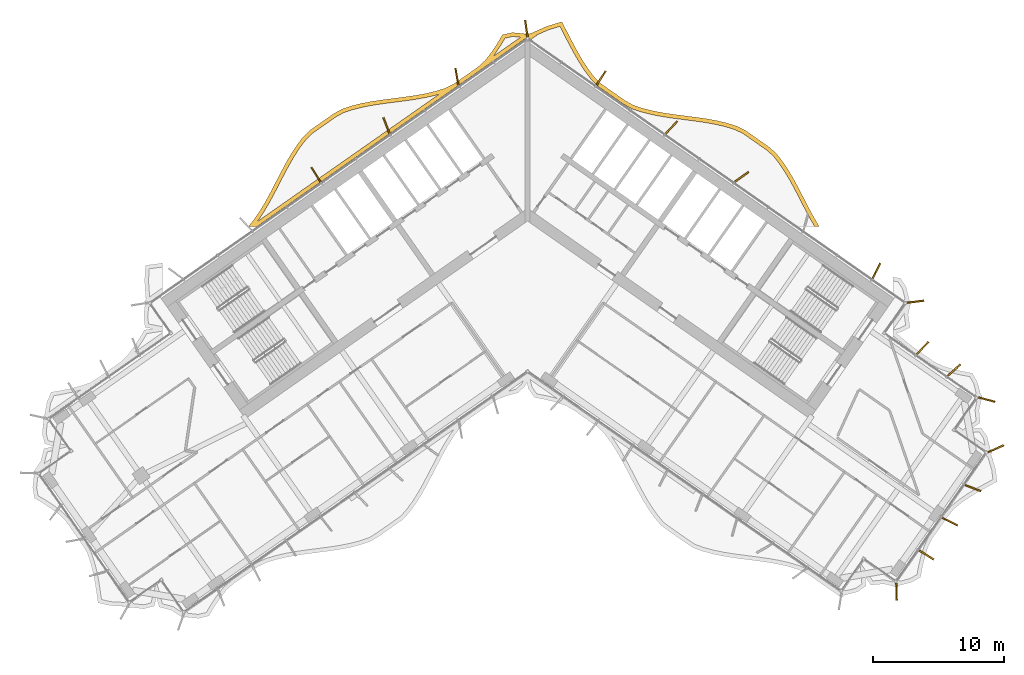
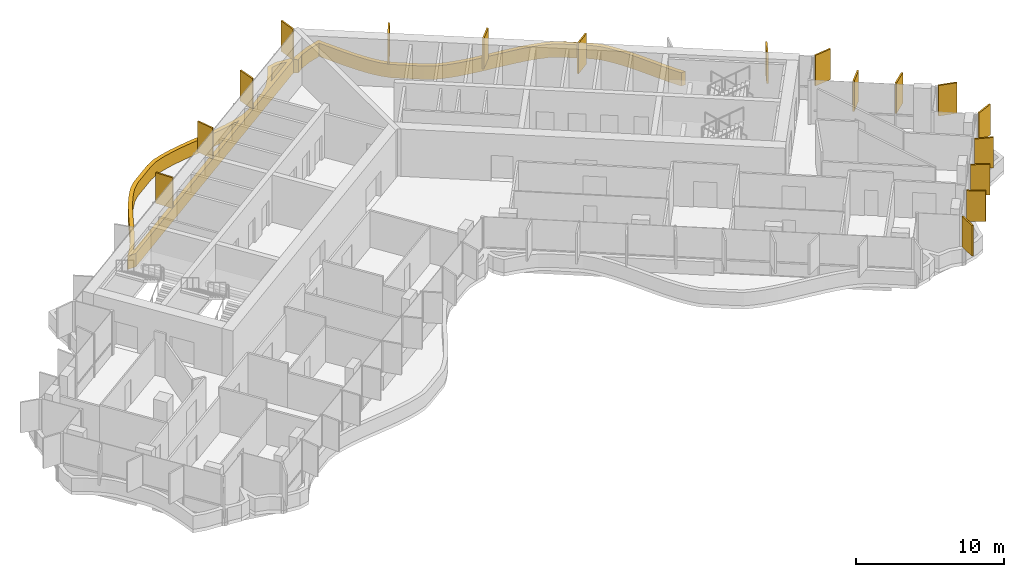
# One storey, part 23 of 23: 18 shading devices.
"""IFC4 building model written with IfcOpenShell, lengths in metres."""

import ifcopenshell
import ifcopenshell.guid

model = None  # the IFC model being written
_history = None  # IfcOwnerHistory: only IFC2X3 demands one
_inside = {}  # id of a spatial element -> (the spatial element, [elements in it])
_under = {}  # id of a project, library or spatial element -> (it, [spatial elements below it])
_declared = {}  # id of a project -> (the project, [libraries it declares])
_typed = {}  # id of a type object -> (the type object, [elements of that type])
_made_of = {}  # id of a material, layer set ... -> (it, [elements and type objects made of it])


def new_model(schema):
    """Start an empty IFC model of exactly this schema.

    Asked for "IFC4X3", IfcOpenShell would pick the latest addendum, in which some entities
    have other attributes; the version numbers below select the first issue.
    IFC2X3 requires an IfcOwnerHistory on every rooted entity: one is made here for all.
    """
    global model, _history
    if schema == "IFC4X3":
        model = ifcopenshell.file(schema_version=(4, 3, 0, 0))
    else:
        model = ifcopenshell.file(schema=schema)
    _inside.clear()
    _under.clear()
    _declared.clear()
    _typed.clear()
    _made_of.clear()
    _history = None
    if model.schema == "IFC2X3":
        org = make("IfcOrganization", Name="unknown")
        user = make(
            "IfcPersonAndOrganization",
            ThePerson=make("IfcPerson", FamilyName="unknown"),
            TheOrganization=org,
        )
        app = make(
            "IfcApplication",
            ApplicationDeveloper=org,
            Version="unknown",
            ApplicationFullName="unknown",
            ApplicationIdentifier="unknown",
        )
        _history = make(
            "IfcOwnerHistory",
            OwningUser=user,
            OwningApplication=app,
            ChangeAction="ADDED",
            CreationDate=0,
        )
    return model


def make(cls, **values):
    """One entity of the class cls with the attributes given. An attribute that is None is left unset."""
    return model.create_entity(
        cls, **{name: value for name, value in values.items() if value is not None}
    )


def rooted(cls, **values):
    """An entity with a GlobalId (a new one), such as an element, a storey or a relation."""
    return make(cls, GlobalId=ifcopenshell.guid.new(), OwnerHistory=_history, **values)


def si_unit(unit_type, name, prefix=None):
    """IfcSIUnit, for example si_unit("LENGTHUNIT", "METRE", prefix="MILLI")."""
    return make("IfcSIUnit", UnitType=unit_type, Prefix=prefix, Name=name)


def assignment(units):
    """IfcUnitAssignment: the units of a project."""
    return None if units is None else make("IfcUnitAssignment", Units=units)


def point(xyz):
    """IfcCartesianPoint."""
    return None if xyz is None else make("IfcCartesianPoint", Coordinates=xyz)


def direction(xyz):
    """IfcDirection."""
    return None if xyz is None else make("IfcDirection", DirectionRatios=xyz)


def frame(location, z_axis=None, x_axis=None):
    """IfcAxis2Placement3D, a coordinate frame: its origin and axes. An axis left out is left unset."""
    return make(
        "IfcAxis2Placement3D",
        Location=point(location),
        Axis=direction(z_axis),
        RefDirection=direction(x_axis),
    )


def frame_2d(location, x_axis=None):
    """IfcAxis2Placement2D, a coordinate frame in the plane: its origin and x axis."""
    return make(
        "IfcAxis2Placement2D", Location=point(location), RefDirection=direction(x_axis)
    )


def origin():
    """The frame at (0, 0, 0) with its axes left unset."""
    return frame((0.0, 0.0, 0.0))


def origin_2d():
    """The frame at (0, 0) in the plane with its x axis left unset."""
    return frame_2d((0.0, 0.0))


def place(relative_to, where):
    """IfcLocalPlacement: puts the frame where relative to a parent placement (None: the world)."""
    return make(
        "IfcLocalPlacement", PlacementRelTo=relative_to, RelativePlacement=where
    )


def context(
    kind, dimensions, precision=None, world=None, true_north=None, identifier=None
):
    """IfcGeometricRepresentationContext, for example the 3D "Model" context."""
    return make(
        "IfcGeometricRepresentationContext",
        ContextIdentifier=identifier,
        ContextType=kind,
        CoordinateSpaceDimension=dimensions,
        Precision=precision,
        WorldCoordinateSystem=world,
        TrueNorth=true_north,
    )


def subcontext(parent, identifier, kind, view, scale=None):
    """IfcGeometricRepresentationSubContext, for example "Body" below "Model"."""
    return make(
        "IfcGeometricRepresentationSubContext",
        ContextIdentifier=identifier,
        ContextType=kind,
        ParentContext=parent,
        TargetScale=scale,
        TargetView=view,
    )


def project(units=None, contexts=None):
    """IfcProject with its units and contexts."""
    return rooted(
        "IfcProject",
        Name="project",
        RepresentationContexts=contexts,
        UnitsInContext=assignment(units),
    )


def spatial(cls, under=None, at=None, **own):
    """A site, building, storey or space (cls), placed at a placement, below another one or the project."""
    s = rooted(cls, ObjectPlacement=at, **own)
    if under is not None:
        _under.setdefault(under.id(), (under, []))[1].append(s)
    return s


def polyline(points):
    """IfcPolyline through the points."""
    return make("IfcPolyline", Points=[point(p) for p in points])


def profile(cls, at=None, kind="AREA", **sizes):
    """A parametric profile (cls). Its sizes go by their IFC names, for example OverallWidth=200.0."""
    return make(cls, ProfileType=kind, Position=at, **sizes)


def rectangle(**sizes):
    """IfcRectangleProfileDef."""
    return profile("IfcRectangleProfileDef", **sizes)


def outline(outer, holes=None, kind="AREA"):
    """IfcArbitraryClosedProfileDef: a profile drawn as a closed curve; with holes, ...WithVoids."""
    if holes is None:
        return make("IfcArbitraryClosedProfileDef", ProfileType=kind, OuterCurve=outer)
    return make(
        "IfcArbitraryProfileDefWithVoids",
        ProfileType=kind,
        OuterCurve=outer,
        InnerCurves=holes,
    )


def extrude(swept, where, along, depth):
    """IfcExtrudedAreaSolid: the profile swept, set in the frame where, extruded along a direction by depth."""
    return make(
        "IfcExtrudedAreaSolid",
        SweptArea=swept,
        Position=where,
        ExtrudedDirection=direction(along),
        Depth=depth,
    )


def shape(context_of_items, identifier, shape_type, items):
    """IfcShapeRepresentation: the items that make up one representation, for example the "Body"."""
    return make(
        "IfcShapeRepresentation",
        ContextOfItems=context_of_items,
        RepresentationIdentifier=identifier,
        RepresentationType=shape_type,
        Items=items,
    )


def material(Name=None, Category=None):
    """IfcMaterial."""
    return make("IfcMaterial", Name=Name, Category=Category)


def layer(
    of_material, thickness, ventilated=None, Name=None, Category=None, Priority=None
):
    """IfcMaterialLayer: one layer of a wall or slab, of a material (None: an air gap)."""
    return make(
        "IfcMaterialLayer",
        Material=of_material,
        LayerThickness=thickness,
        IsVentilated=ventilated,
        Name=Name,
        Category=Category,
        Priority=Priority,
    )


def layer_set(layers, Name=None):
    """IfcMaterialLayerSet."""
    return make("IfcMaterialLayerSet", MaterialLayers=layers, LayerSetName=Name)


def made_of(thing, what):
    """Note that an element or type object is made of a material, layer set ...; save() writes the relation."""
    if what is not None:
        _made_of.setdefault(what.id(), (what, []))[1].append(thing)
    return thing


def type_object(cls, material=None, **own):
    """A type object (cls), such as IfcWallType, which elements share."""
    return made_of(rooted(cls, **own), material)


def element(
    cls,
    number,
    at=None,
    inside=None,
    cuts=None,
    type_object=None,
    material=None,
    context=None,
    identifier="Body",
    shape_type=None,
    held_by="IfcProductDefinitionShape",
    body=None,
    shapes=None,
    **own,
):
    """One element of the class cls, such as IfcWall. Its Tag is "e" and its number.

    at: its placement. inside: the storey or other place that contains it. cuts: it is an
    opening in that element (IfcRelVoidsElement). A single representation is given by context,
    identifier, shape_type and body (its items); several are given by shapes. held_by: the class
    of the entity that holds the representations. save() writes the other relations.
    """
    e = rooted(cls, Tag="e%d" % number, ObjectPlacement=at, **own)
    if body is not None:
        shapes = [shape(context, identifier, shape_type, body)]
    if shapes is not None:
        e.Representation = make(held_by, Representations=shapes)
    if inside is not None:
        _inside.setdefault(inside.id(), (inside, []))[1].append(e)
    if cuts is not None:
        rooted(
            "IfcRelVoidsElement", RelatingBuildingElement=cuts, RelatedOpeningElement=e
        )
    if type_object is not None:
        _typed.setdefault(type_object.id(), (type_object, []))[1].append(e)
    return made_of(e, material)


def aggregate(whole, parts):
    """IfcRelAggregates: a whole, such as a stair, and the parts it consists of."""
    return rooted("IfcRelAggregates", RelatingObject=whole, RelatedObjects=parts)


def save(model, path):
    """Write the relations noted so far, then the file.

    IfcRelAggregates (storeys below a building ...), IfcRelContainedInSpatialStructure (elements
    in a storey), IfcRelDefinesByType, IfcRelAssociatesMaterial and IfcRelDeclares: one each for
    every whole, place, type object, material and project.
    """
    for whole, parts in _under.values():
        aggregate(whole, parts)
    for where, things in _inside.values():
        rooted(
            "IfcRelContainedInSpatialStructure",
            RelatedElements=things,
            RelatingStructure=where,
        )
    for kind, things in _typed.values():
        rooted("IfcRelDefinesByType", RelatedObjects=things, RelatingType=kind)
    for what, things in _made_of.values():
        rooted("IfcRelAssociatesMaterial", RelatedObjects=things, RelatingMaterial=what)
    for by, libraries in _declared.values():
        rooted("IfcRelDeclares", RelatingContext=by, RelatedDefinitions=libraries)
    model.write(path)


model = new_model("IFC4")

# Units and contexts
model_context = context("Model", 3, precision=1e-05, world=origin(), true_north=direction((0.0, 1.0)))
body_context = subcontext(model_context, "Body", "Model", "MODEL_VIEW")
ifc_project = project(units=[si_unit("LENGTHUNIT", "METRE"), si_unit("AREAUNIT", "SQUARE_METRE"), si_unit("VOLUMEUNIT", "CUBIC_METRE"), si_unit("PLANEANGLEUNIT", "RADIAN"), si_unit("MASSUNIT", "GRAM", prefix="KILO")], contexts=[model_context])

# Site, building, storey
site_placement = place(None, origin())
site = spatial("IfcSite", under=ifc_project, at=site_placement, CompositionType="ELEMENT")
building_placement = place(site_placement, origin())
building = spatial("IfcBuilding", under=site, at=building_placement, Name="Tel Ilan Convention Tower", CompositionType="ELEMENT")
storey_placement = place(building_placement, frame((0.0, 0.0, 194.39990234375)))
storey = spatial("IfcBuildingStorey", under=building, at=storey_placement, Name="L45", CompositionType="ELEMENT", Elevation=194.39990234375)

# Shading devices
ifc_material_1 = material(Name="Aluminium, bronze anodised", Category="aluminium")
ifc_layer_1 = layer(ifc_material_1, 0.1201171875)
ifc_layer_set_1 = layer_set([ifc_layer_1], Name="FIN BRONZE 1300x120")
shading_device_type_1 = type_object("IfcShadingDeviceType", Name="FIN BRONZE 1300x120", PredefinedType="USERDEFINED", material=ifc_layer_set_1)
for number, where, z_axis, x_axis, name in (
    (1, (29.60595703125, -7.376953125, 1.10009765625), (0.0, 0.0, 1.0), (0.992066016082, 0.125718016748, 0.0), "FIN"),
    (2, (26.62255859375, -5.028076171875, 1.10009765625), (0.0, 0.0, 1.0), (0.448799180206, 0.893632640321, 0.0), "FIN"),
    (3, (16.335693359375, 2.15185546875, 1.10009765625), (0.0, 0.0, 1.0), (0.813552070258, 0.581492071294, 0.0), "FIN"),
    (4, (10.981201171875, 5.924072265625, 1.10009765625), (0.0, 0.0, 1.0), (0.686241637865, 0.727373641577, 0.0), "FIN"),
    (5, (5.61328125, 9.683349609375, 1.10009765625), (0.0, 0.0, 1.0), (0.533204432798, 0.845986425922, 0.0), "FIN"),
    (6, (-0.09423828125, 13.469482421875, 1.10009765625), (0.0, 0.0, 1.0), (-0.144931859301, 0.989441638582, 0.0), "FIN"),
    (7, (-5.392333984375, 9.791748046875, 1.10009765625), (0.0, 0.0, 1.0), (-0.173648177667, 0.984807753012, 0.0), "FIN"),
    (8, (-10.7724609375, 6.062255859375, 1.10009765625), (0.0, 0.0, 1.0), (-0.360177724803, 0.932883704733, 0.0), "FIN"),
    (9, (-16.143798828125, 2.309814453125, 1.10009765625), (0.0, 0.0, 1.0), (-0.533204432798, 0.845986425922, 0.0), "FIN"),
    (10, (28.156982421875, -29.51513671875, 1.10009765625), (0.0, 0.0, 1.0), (0.029084718749, -0.999576950082, 0.0), "FIN"),
    (11, (30.43798828125, -26.706787109375, 1.10009765625), (0.0, 0.0, 1.0), (0.845986425922, -0.533204432798, 0.0), "FIN"),
    (12, (32.222900390625, -24.15673828125, 1.10009765625), (0.0, 0.0, 1.0), (0.893632640321, -0.448799180206, 0.0), "FIN"),
    (13, (34.002685546875, -21.60400390625, 1.10009765625), (0.0, 0.0, 1.0), (0.932883704733, -0.360177724803, 0.0), "FIN"),
    (14, (35.7421875, -18.597900390625, 1.10009765625), (0.0, 0.0, 1.0), (0.914332505315, 0.404964282034, 0.0), "FIN"),
    (15, (35.0498046875, -14.849365234375, 1.10009765625), (0.0, 0.0, 1.0), (0.965925826289, -0.258819045103, 0.0), "FIN"),
    (16, (32.546875, -12.602294921875, 1.10009765625), (0.0, 0.0, 1.0), (0.753435896329, 0.657521368568, 0.0), "FIN"),
    (17, (30.15185546875, -10.91748046875, 1.10009765625), (0.0, 0.0, 1.0), (0.686241637865, 0.727373641577, 0.0), "FIN"),
):
    element("IfcShadingDevice", number, at=place(storey_placement, frame(where, z_axis=z_axis, x_axis=x_axis)), inside=storey, type_object=shading_device_type_1, Name=name, ObjectType="FIN", PredefinedType="USERDEFINED", context=body_context, shape_type="SweptSolid", body=[
        extrude(rectangle(XDim=1.300048828125, YDim=0.1201171875, at=origin_2d()), origin(), (0.0, 0.0, 1.0), 2.52001953125),
    ])
ifc_material_2 = material(Name="Aluminium, bronze anodised", Category="aluminium")
ifc_layer_2 = layer(ifc_material_2, 0.300048828125)
ifc_layer_set_2 = layer_set([ifc_layer_2], Name="LOUVRE BAND 300x1100")
shading_device_type_2 = type_object("IfcShadingDeviceType", Name="LOUVRE BAND 300x1100", PredefinedType="USERDEFINED", material=ifc_layer_set_2)
shading_device_placement = place(storey_placement, origin())
element("IfcShadingDevice", 18, at=shading_device_placement, inside=storey, type_object=shading_device_type_2, Name="LOUVRE BAND 35.02", ObjectType="LOUVRE", PredefinedType="USERDEFINED", context=body_context, shape_type="SweptSolid", body=[
    extrude(outline(polyline([(-20.849609375, -1.0634765625), (-21.30126953125, -1.631591796875), (-20.63623046875, -1.631591796875), (0.0, 12.818115234375), (0.261474609375, 12.635009765625), (0.71044921875, 12.94921875), (0.651611328125, 12.94921875), (1.583984375, 13.365234375), (2.46484375, 13.628173828125), (3.115478515625, 12.37158203125), (3.5078125, 11.636474609375), (3.92041015625, 10.921630859375), (4.362548828125, 10.239501953125), (4.84716796875, 9.595947265625), (5.407958984375, 9.031494140625), (7.251220703125, 7.74072265625), (7.93212890625, 7.353759765625), (8.69921875, 7.09716796875), (9.48291015625, 6.89990234375), (10.2900390625, 6.745361328125), (11.112060546875, 6.621337890625), (12.762939453125, 6.408935546875), (13.572509765625, 6.29248046875), (14.3583984375, 6.15185546875), (15.11279296875, 5.97509765625), (15.819580078125, 5.75537109375), (16.44921875, 5.450927734375), (18.22607421875, 4.206787109375), (18.74951171875, 3.746826171875), (19.200927734375, 3.172607421875), (19.63037109375, 2.533447265625), (20.03515625, 1.850341796875), (20.423583984375, 1.13427734375), (21.186767578125, -0.3427734375), (21.5810546875, -1.075927734375), (21.906005859375, -1.631591796875), (22.25341796875, -1.631591796875), (21.8427734375, -0.928955078125), (21.4521484375, -0.202880859375), (20.688720703125, 1.27490234375), (20.296142578125, 1.998291015625), (19.884033203125, 2.69384765625), (19.44384765625, 3.34912109375), (18.96826171875, 3.9541015625), (18.41162109375, 4.443115234375), (16.6015625, 5.71044921875), (15.929931640625, 6.03515625), (15.191650390625, 6.2646484375), (14.419189453125, 6.44580078125), (13.6201171875, 6.588623046875), (12.80322265625, 6.7060546875), (11.15380859375, 6.91845703125), (10.340576171875, 7.041259765625), (9.547607421875, 7.19287109375), (8.783447265625, 7.385498046875), (8.054931640625, 7.62890625), (7.411865234375, 7.99462890625), (5.601806640625, 9.261962890625), (5.074462890625, 9.792724609375), (4.608642578125, 10.41162109375), (4.17626953125, 11.078369140625), (3.770263671875, 11.7822265625), (3.38134765625, 12.510986328125), (2.6162109375, 13.986328125), (1.4794921875, 13.647216796875), (0.168701171875, 13.059326171875), (0.11474609375, 13.09521484375), (0.0, 13.1181640625), (-0.11474609375, 13.09521484375), (-0.168701171875, 13.059326171875), (-1.14208984375, 13.1650390625), (-1.919921875, 12.991943359375), (-2.3310546875, 12.294921875), (-2.769287109375, 11.63671875), (-3.242431640625, 11.0283203125), (-3.7919921875, 10.529296875), (-5.601806640625, 9.261962890625), (-6.26611328125, 8.926513671875), (-7.002197265625, 8.693603515625), (-7.7724609375, 8.509765625), (-8.570068359375, 8.36474609375), (-9.385986328125, 8.24609375), (-11.03564453125, 8.033935546875), (-11.849853515625, 7.91259765625), (-12.644287109375, 7.76318359375), (-13.41064453125, 7.573486328125), (-14.141845703125, 7.33349609375), (-14.791748046875, 6.977783203125), (-16.6015625, 5.71044921875), (-17.136474609375, 5.1904296875), (-17.604736328125, 4.574951171875), (-18.0390625, 3.9111328125), (-18.44677734375, 3.209228515625), (-18.83642578125, 2.481689453125), (-19.60009765625, 1.004150390625), (-19.993408203125, 0.281982421875), (-20.4072265625, -0.4111328125), (-20.849609375, -1.0634765625)]), holes=[polyline([(-2.603271484375, 11.361572265625), (-2.525634765625, 11.46142578125), (-2.076904296875, 12.135498046875), (-1.727783203125, 12.727294921875), (-1.12451171875, 12.861572265625), (-0.547119140625, 12.80126953125), (-2.603271484375, 11.361572265625)]), polyline([(-20.614990234375, -1.25048828125), (-20.154052734375, -0.572265625), (-19.73291015625, 0.13330078125), (-19.335205078125, 0.86328125), (-18.57080078125, 2.342041015625), (-18.1845703125, 3.06298828125), (-17.78369140625, 3.75341796875), (-17.359619140625, 4.40185546875), (-16.911376953125, 4.99072265625), (-16.409912109375, 5.478515625), (-14.633056640625, 6.722412109375), (-14.02197265625, 7.05712890625), (-13.32763671875, 7.284912109375), (-12.58056640625, 7.4697265625), (-11.800048828125, 7.61669921875), (-10.994384765625, 7.73681640625), (-9.345458984375, 7.94873046875), (-8.521484375, 8.068603515625), (-7.710693359375, 8.216064453125), (-6.921875, 8.404296875), (-6.748046875, 8.459228515625), (-20.614990234375, -1.25048828125)])]), origin(), (0.0, 0.0, 1.0), 1.10009765625),
])

save(model, "model.ifc")
